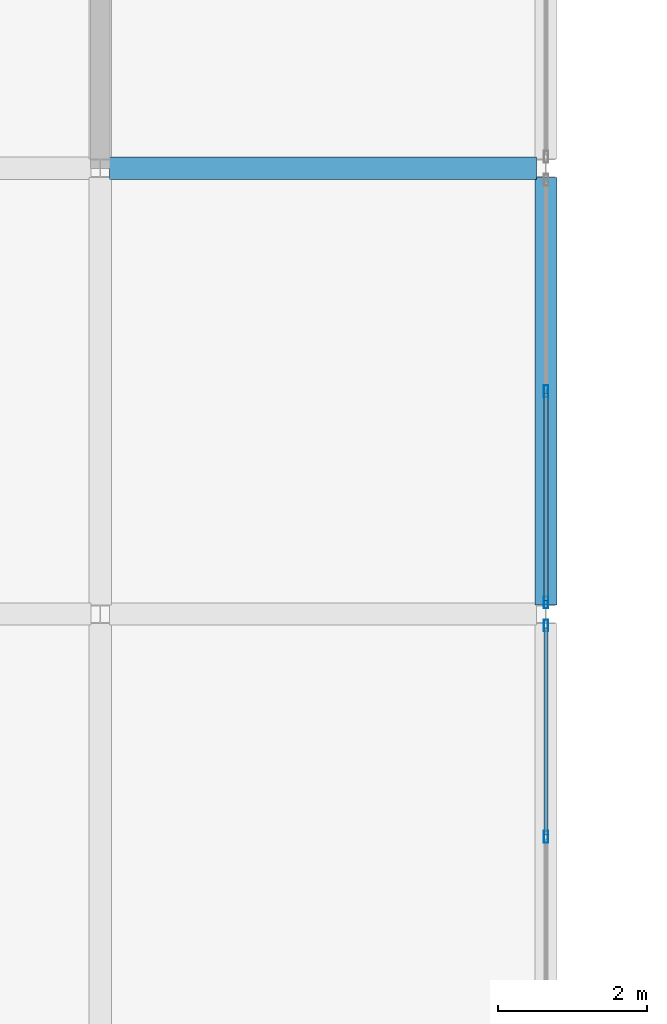
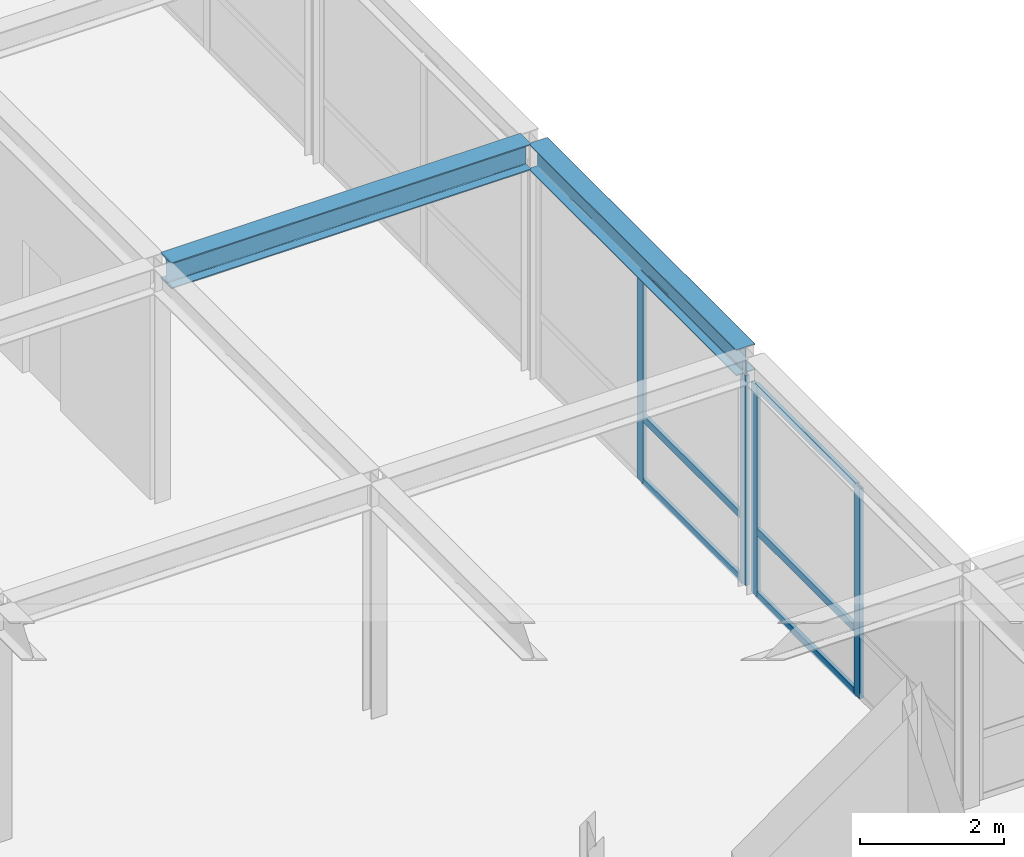
# One storey, part 65 of 111: 10 members, 2 beams, 2 elements without a shape of their own.
"""IFC4 building model written with IfcOpenShell, lengths in metres."""

from ifc_helpers import new_model, si_unit, direction, frame, origin, origin_2d, place, context, subcontext, project, spatial, hollow_rectangle, i_section, extrude, material, layer, layer_set, material_profile, profile_set, type_object, element, aggregate, save


model = new_model("IFC4")

# Units and contexts
model_context = context("Model", 3, precision=1e-05, world=origin(), true_north=direction((0.0, 1.0)))
body_context = subcontext(model_context, "Body", "Model", "MODEL_VIEW")
ifc_project = project(units=[si_unit("LENGTHUNIT", "METRE"), si_unit("AREAUNIT", "SQUARE_METRE"), si_unit("VOLUMEUNIT", "CUBIC_METRE"), si_unit("PLANEANGLEUNIT", "RADIAN"), si_unit("MASSUNIT", "GRAM", prefix="KILO")], contexts=[model_context])

# Site, building, storey
site_placement = place(None, origin())
site = spatial("IfcSite", under=ifc_project, at=site_placement, CompositionType="ELEMENT")
building_placement = place(site_placement, origin())
building = spatial("IfcBuilding", under=site, at=building_placement, Name="Zlatovratsky Civic Hall", CompositionType="ELEMENT")
storey_placement = place(building_placement, frame((0.0, 0.0, 16.5)))
storey = spatial("IfcBuildingStorey", under=building, at=storey_placement, Name="L04", CompositionType="ELEMENT", Elevation=16.5)

# Beams
ifc_material_1 = material(Name="Steel S355", Category="steel")
ifc_material_profile_1 = material_profile(ifc_material_1, i_section(OverallWidth=0.300048828125, OverallDepth=0.43994140625, WebThickness=0.010986328125, FlangeThickness=0.01806640625, FilletRadius=0.02197265625, at=origin_2d()), Name="45Sh1")
ifc_profile_set_1 = profile_set([ifc_material_profile_1], Name="Steel S355")
beam_type = type_object("IfcBeamType", Name="Beam_TowerLow_45Sh1", PredefinedType="BEAM", material=ifc_profile_set_1)
for number, where, z_axis, x_axis, name in (
    (1, (114.125, 42.0, 3.780029296875), (1.0, 0.0, 0.0), (0.0, 1.0, 0.0), "BM-3297"),
    (2, (120.0, 36.125, 3.780029296875), (0.0, 1.0, 0.0), (-1.0, 0.0, 0.0), "BM-3743"),
):
    element("IfcBeam", number, at=place(storey_placement, frame(where, z_axis=z_axis, x_axis=x_axis)), inside=storey, type_object=beam_type, Name=name, PredefinedType="BEAM", context=body_context, shape_type="SweptSolid", body=[
        extrude(i_section(OverallWidth=0.300048828125, OverallDepth=0.43994140625, WebThickness=0.010986328125, FlangeThickness=0.01806640625, FilletRadius=0.02197265625, at=origin_2d()), origin(), (0.0, 0.0, 1.0), 5.75),
    ])

# Curtain wall, members
ifc_material_2 = material(Name="Anodised bronze aluminium", Category="aluminium")
ifc_layer = layer(ifc_material_2, 0.159912109375)
ifc_layer_set = layer_set([ifc_layer], Name="Anodised bronze aluminium")
curtain_wall_type = type_object("IfcCurtainWallType", Name="CurtainWall_Bronze_5750x3550_18", PredefinedType="NOTDEFINED", material=ifc_layer_set)
curtain_wall_1_placement = place(storey_placement, origin())
curtain_wall_1 = element("IfcCurtainWall", 3, at=curtain_wall_1_placement, inside=storey, type_object=curtain_wall_type, Name="CW-117", PredefinedType="NOTDEFINED")
ifc_material_profile_2 = material_profile(ifc_material_2, hollow_rectangle(XDim=0.06005859375, YDim=0.159912109375, WallThickness=0.00390625, at=origin_2d()), Name="ALU 60x160x4")
ifc_profile_set_2 = profile_set([ifc_material_profile_2], Name="Anodised bronze aluminium")
member_type_1 = type_object("IfcMemberType", Name="CW_Mullion_60x160", PredefinedType="MULLION", material=ifc_profile_set_2)
member_1_placement = place(storey_placement, frame((120.0, 33.0, 0.0), z_axis=(0.0, 0.0, 1.0), x_axis=(-1.0, 0.0, 0.0)))
member_1 = element("IfcMember", 4, at=member_1_placement, type_object=member_type_1, Name="CW-18 mullion 2", PredefinedType="MULLION", context=body_context, shape_type="SweptSolid", body=[
    extrude(hollow_rectangle(XDim=0.06005859375, YDim=0.159912109375, WallThickness=0.00390625, at=origin_2d()), origin(), (0.0, 0.0, 1.0), 3.550048828125),
])
member_2_placement = place(storey_placement, frame((120.0, 35.844970703125, 0.0), z_axis=(0.0, 0.0, 1.0), x_axis=(-1.0, 0.0, 0.0)))
member_2 = element("IfcMember", 5, at=member_2_placement, type_object=member_type_1, Name="CW-18 mullion 3", PredefinedType="MULLION", context=body_context, shape_type="SweptSolid", body=[
    extrude(hollow_rectangle(XDim=0.06005859375, YDim=0.159912109375, WallThickness=0.00390625, at=origin_2d()), origin(), (0.0, 0.0, 1.0), 3.550048828125),
])

curtain_wall_2_placement = place(storey_placement, origin())
curtain_wall_2 = element("IfcCurtainWall", 6, at=curtain_wall_2_placement, inside=storey, type_object=curtain_wall_type, Name="CW-118", PredefinedType="NOTDEFINED")
member_3_placement = place(storey_placement, frame((120.0, 36.155029296875, 0.0), z_axis=(0.0, 0.0, 1.0), x_axis=(-1.0, 0.0, 0.0)))
member_3 = element("IfcMember", 7, at=member_3_placement, type_object=member_type_1, Name="CW-18 mullion 1", PredefinedType="MULLION", context=body_context, shape_type="SweptSolid", body=[
    extrude(hollow_rectangle(XDim=0.06005859375, YDim=0.159912109375, WallThickness=0.00390625, at=origin_2d()), origin(), (0.0, 0.0, 1.0), 3.550048828125),
])
member_4_placement = place(storey_placement, frame((120.0, 39.0, 0.0), z_axis=(0.0, 0.0, 1.0), x_axis=(-1.0, 0.0, 0.0)))
member_4 = element("IfcMember", 8, at=member_4_placement, type_object=member_type_1, Name="CW-18 mullion 2", PredefinedType="MULLION", context=body_context, shape_type="SweptSolid", body=[
    extrude(hollow_rectangle(XDim=0.06005859375, YDim=0.159912109375, WallThickness=0.00390625, at=origin_2d()), origin(), (0.0, 0.0, 1.0), 3.550048828125),
])

# Member
ifc_material_profile_3 = material_profile(ifc_material_2, hollow_rectangle(XDim=0.06005859375, YDim=0.1201171875, WallThickness=0.00390625, at=origin_2d()), Name="ALU 60x120x4")
ifc_profile_set_3 = profile_set([ifc_material_profile_3], Name="Anodised bronze aluminium")
member_type_2 = type_object("IfcMemberType", Name="CW_Transom_60x120", PredefinedType="USERDEFINED", material=ifc_profile_set_3)
member_5_placement = place(storey_placement, frame((120.0, 33.030029296875, 0.030029296875), z_axis=(0.0, 1.0, 0.0), x_axis=(-1.0, 0.0, 0.0)))
member_5 = element("IfcMember", 9, at=member_5_placement, type_object=member_type_2, Name="CW-18 transom 2.1", ObjectType="TRANSOM", PredefinedType="USERDEFINED", context=body_context, shape_type="SweptSolid", body=[
    extrude(hollow_rectangle(XDim=0.06005859375, YDim=0.1201171875, WallThickness=0.00390625, at=origin_2d()), origin(), (0.0, 0.0, 1.0), 2.784912109375),
])

member_6_placement = place(storey_placement, frame((120.0, 33.030029296875, 1.10009765625), z_axis=(0.0, 1.0, 0.0), x_axis=(-1.0, 0.0, 0.0)))
member_6 = element("IfcMember", 10, at=member_6_placement, type_object=member_type_2, Name="CW-18 transom 2.2", ObjectType="TRANSOM", PredefinedType="USERDEFINED", context=body_context, shape_type="SweptSolid", body=[
    extrude(hollow_rectangle(XDim=0.06005859375, YDim=0.1201171875, WallThickness=0.00390625, at=origin_2d()), origin(), (0.0, 0.0, 1.0), 2.784912109375),
])

member_7_placement = place(storey_placement, frame((120.0, 33.030029296875, 3.52001953125), z_axis=(0.0, 1.0, 0.0), x_axis=(-1.0, 0.0, 0.0)))
member_7 = element("IfcMember", 11, at=member_7_placement, type_object=member_type_2, Name="CW-18 transom 2.3", ObjectType="TRANSOM", PredefinedType="USERDEFINED", context=body_context, shape_type="SweptSolid", body=[
    extrude(hollow_rectangle(XDim=0.06005859375, YDim=0.1201171875, WallThickness=0.00390625, at=origin_2d()), origin(), (0.0, 0.0, 1.0), 2.784912109375),
])

aggregate(curtain_wall_1, [member_1, member_2, member_5, member_6, member_7])

member_8_placement = place(storey_placement, frame((120.0, 36.18505859375, 0.030029296875), z_axis=(0.0, 1.0, 0.0), x_axis=(-1.0, 0.0, 0.0)))
member_8 = element("IfcMember", 12, at=member_8_placement, type_object=member_type_2, Name="CW-18 transom 1.1", ObjectType="TRANSOM", PredefinedType="USERDEFINED", context=body_context, shape_type="SweptSolid", body=[
    extrude(hollow_rectangle(XDim=0.06005859375, YDim=0.1201171875, WallThickness=0.00390625, at=origin_2d()), origin(), (0.0, 0.0, 1.0), 2.784912109375),
])

member_9_placement = place(storey_placement, frame((120.0, 36.18505859375, 1.10009765625), z_axis=(0.0, 1.0, 0.0), x_axis=(-1.0, 0.0, 0.0)))
member_9 = element("IfcMember", 13, at=member_9_placement, type_object=member_type_2, Name="CW-18 transom 1.2", ObjectType="TRANSOM", PredefinedType="USERDEFINED", context=body_context, shape_type="SweptSolid", body=[
    extrude(hollow_rectangle(XDim=0.06005859375, YDim=0.1201171875, WallThickness=0.00390625, at=origin_2d()), origin(), (0.0, 0.0, 1.0), 2.784912109375),
])

member_10_placement = place(storey_placement, frame((120.0, 36.18505859375, 3.52001953125), z_axis=(0.0, 1.0, 0.0), x_axis=(-1.0, 0.0, 0.0)))
member_10 = element("IfcMember", 14, at=member_10_placement, type_object=member_type_2, Name="CW-18 transom 1.3", ObjectType="TRANSOM", PredefinedType="USERDEFINED", context=body_context, shape_type="SweptSolid", body=[
    extrude(hollow_rectangle(XDim=0.06005859375, YDim=0.1201171875, WallThickness=0.00390625, at=origin_2d()), origin(), (0.0, 0.0, 1.0), 2.784912109375),
])

aggregate(curtain_wall_2, [member_3, member_4, member_8, member_9, member_10])

save(model, "model.ifc")
